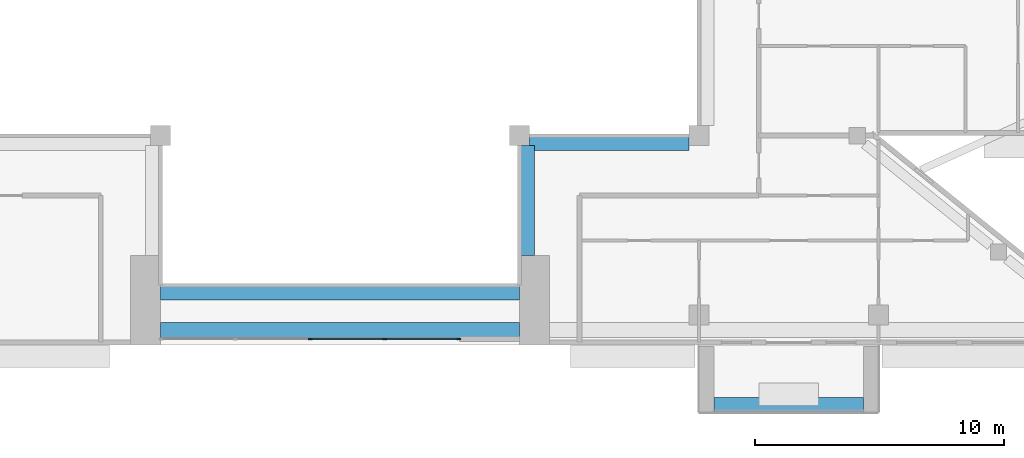
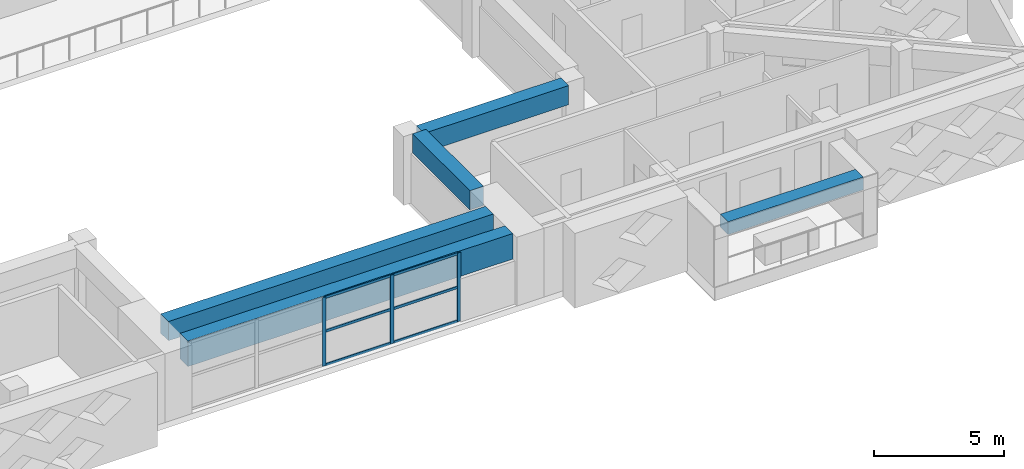
# One storey, part 4 of 19: 9 members, 5 beams, 1 element without a shape of its own.
"""IFC4 building model written with IfcOpenShell, lengths in metres."""

from ifc_helpers import new_model, si_unit, direction, frame, origin, origin_2d, place, context, subcontext, project, spatial, rectangle, extrude, source, transform, mapped, material, layer, layer_set, material_profile, profile_set, type_object, element, aggregate, save


model = new_model("IFC4")

# Units and contexts
model_context = context("Model", 3, precision=1e-05, world=origin(), true_north=direction((0.0, 1.0)))
body_context = subcontext(model_context, "Body", "Model", "MODEL_VIEW")
ifc_project = project(units=[si_unit("LENGTHUNIT", "METRE"), si_unit("AREAUNIT", "SQUARE_METRE"), si_unit("VOLUMEUNIT", "CUBIC_METRE"), si_unit("PLANEANGLEUNIT", "RADIAN"), si_unit("MASSUNIT", "GRAM", prefix="KILO")], contexts=[model_context])

# Site, building, storey
site_placement = place(None, origin())
site = spatial("IfcSite", under=ifc_project, at=site_placement, CompositionType="ELEMENT")
building_placement = place(site_placement, origin())
building = spatial("IfcBuilding", under=site, at=building_placement, Name="Saffron Iwan Residences", CompositionType="ELEMENT")
storey_placement = place(building_placement, frame((0.0, 0.0, 232.5)))
storey = spatial("IfcBuildingStorey", under=building, at=storey_placement, Name="L62", CompositionType="ELEMENT", Elevation=232.5)

# Beams
ifc_material_1 = material(Name="Concrete C40/50", Category="concrete")
ifc_material_profile_1 = material_profile(ifc_material_1, rectangle(XDim=0.60009765625, YDim=1.199951171875, at=origin_2d()), Name="RC 600x1200")
ifc_profile_set_1 = profile_set([ifc_material_profile_1], Name="Concrete C40/50")
beam_type_1 = type_object("IfcBeamType", Name="LINTEL BEAM RC 600x1200 C40/50 TOP 3220", PredefinedType="LINTEL", material=ifc_profile_set_1)
shared_shape_1 = source(origin(), body_context, "Body", "SweptSolid", [
    extrude(rectangle(XDim=0.60009765625, YDim=1.199951171875, at=origin_2d()), origin(), (0.0, 0.0, 1.0), 14.400146484375),
])
beam_1_placement = place(storey_placement, frame((57.60009765625, 40.199951171875, 2.6201171875), z_axis=(-1.0, 0.0, 0.0), x_axis=(0.0, -1.0, 0.0)))
element("IfcBeam", 1, at=beam_1_placement, inside=storey, type_object=beam_type_1, Name="Lintel beam over the iwan", PredefinedType="LINTEL", context=body_context, shape_type="MappedRepresentation", body=[
    mapped(shared_shape_1, transform((0.0, 0.0, 0.0))),
])
ifc_material_profile_2 = material_profile(ifc_material_1, rectangle(XDim=0.60009765625, YDim=0.89990234375, at=origin_2d()), Name="RC 600x900")
ifc_profile_set_2 = profile_set([ifc_material_profile_2], Name="Concrete C40/50")
beam_type_2 = type_object("IfcBeamType", Name="BEAM RC 600x900 C40/50 TOP 3220", PredefinedType="BEAM", material=ifc_profile_set_2)
shared_shape_2 = source(origin(), body_context, "Body", "SweptSolid", [
    extrude(rectangle(XDim=0.60009765625, YDim=0.89990234375, at=origin_2d()), origin(), (0.0, 0.0, 1.0), 14.400146484375),
])
beam_2_placement = place(storey_placement, frame((57.60009765625, 41.699951171875, 2.77001953125), z_axis=(-1.0, 0.0, 0.0), x_axis=(0.0, -1.0, 0.0)))
element("IfcBeam", 2, at=beam_2_placement, inside=storey, type_object=beam_type_2, Name="Atrium edge beam", PredefinedType="BEAM", context=body_context, shape_type="MappedRepresentation", body=[
    mapped(shared_shape_2, transform((0.0, 0.0, 0.0))),
])
shared_shape_3 = source(origin(), body_context, "Body", "SweptSolid", [
    extrude(rectangle(XDim=0.60009765625, YDim=0.89990234375, at=origin_2d()), origin(), (0.0, 0.0, 1.0), 4.400146484375),
])
beam_3_placement = place(storey_placement, frame((57.89990234375, 47.60009765625, 2.77001953125), z_axis=(0.0, -1.0, 0.0), x_axis=(1.0, 0.0, 0.0)))
element("IfcBeam", 3, at=beam_3_placement, inside=storey, type_object=beam_type_2, Name="Atrium edge beam", PredefinedType="BEAM", context=body_context, shape_type="MappedRepresentation", body=[
    mapped(shared_shape_3, transform((0.0, 0.0, 0.0))),
])
shared_shape_4 = source(origin(), body_context, "Body", "SweptSolid", [
    extrude(rectangle(XDim=0.60009765625, YDim=0.89990234375, at=origin_2d()), origin(), (0.0, 0.0, 1.0), 6.39990234375),
])
beam_4_placement = place(storey_placement, frame((64.39990234375, 47.699951171875, 2.77001953125), z_axis=(-1.0, 0.0, 0.0), x_axis=(0.0, -1.0, 0.0)))
element("IfcBeam", 4, at=beam_4_placement, inside=storey, type_object=beam_type_2, Name="Atrium edge beam", PredefinedType="BEAM", context=body_context, shape_type="MappedRepresentation", body=[
    mapped(shared_shape_4, transform((0.0, 0.0, 0.0))),
])

# Curtain wall, members
ifc_material_2 = material(Name="Clear glass, laminated double glazed", Category="glass")
ifc_layer = layer(ifc_material_2, 0.199951171875)
ifc_layer_set = layer_set([ifc_layer], Name="Clear glass, laminated double glazed")
curtain_wall_type = type_object("IfcCurtainWallType", Name="CW-B IWAN PORTAL", PredefinedType="NOTDEFINED", material=ifc_layer_set)
curtain_wall_placement = place(storey_placement, origin())
curtain_wall = element("IfcCurtainWall", 5, at=curtain_wall_placement, inside=storey, type_object=curtain_wall_type, Name="Iwan portal glazing L62.1", PredefinedType="NOTDEFINED")
ifc_material_3 = material(Name="Aluminium 6063-T6", Category="aluminium")
ifc_material_profile_3 = material_profile(ifc_material_3, rectangle(XDim=0.06005859375, YDim=0.1201171875, at=origin_2d()), Name="CW-B TRANSOM 60 x 120")
ifc_profile_set_3 = profile_set([ifc_material_profile_3], Name="Aluminium 6063-T6")
member_type_1 = type_object("IfcMemberType", Name="CW-B TRANSOM 60 x 120", PredefinedType="USERDEFINED", material=ifc_profile_set_3)
shared_shape_5 = source(origin(), body_context, "Body", "SweptSolid", [
    extrude(rectangle(XDim=0.06005859375, YDim=0.1201171875, at=origin_2d()), origin(), (0.0, 0.0, 1.0), 2.909912109375),
])
member_1_placement = place(storey_placement, frame((52.22998046875, 39.85009765625, 0.030029296875), z_axis=(1.0, 0.0, 0.0), x_axis=(0.0, 1.0, 0.0)))
member_1 = element("IfcMember", 6, at=member_1_placement, type_object=member_type_1, Name="CW-B transom 4.1", ObjectType="TRANSOM", PredefinedType="USERDEFINED", context=body_context, shape_type="MappedRepresentation", body=[
    mapped(shared_shape_5, transform((0.0, 0.0, 0.0))),
])
member_2_placement = place(storey_placement, frame((52.22998046875, 39.85009765625, 1.610107421875), z_axis=(1.0, 0.0, 0.0), x_axis=(0.0, 1.0, 0.0)))
member_2 = element("IfcMember", 7, at=member_2_placement, type_object=member_type_1, Name="CW-B transom 4.2", ObjectType="TRANSOM", PredefinedType="USERDEFINED", context=body_context, shape_type="MappedRepresentation", body=[
    mapped(shared_shape_5, transform((0.0, 0.0, 0.0))),
])
member_3_placement = place(storey_placement, frame((52.22998046875, 39.85009765625, 3.18994140625), z_axis=(1.0, 0.0, 0.0), x_axis=(0.0, 1.0, 0.0)))
member_3 = element("IfcMember", 8, at=member_3_placement, type_object=member_type_1, Name="CW-B transom 4.3", ObjectType="TRANSOM", PredefinedType="USERDEFINED", context=body_context, shape_type="MappedRepresentation", body=[
    mapped(shared_shape_5, transform((0.0, 0.0, 0.0))),
])
shared_shape_6 = source(origin(), body_context, "Body", "SweptSolid", [
    extrude(rectangle(XDim=0.06005859375, YDim=0.1201171875, at=origin_2d()), origin(), (0.0, 0.0, 1.0), 2.93994140625),
])
member_4_placement = place(storey_placement, frame((49.22998046875, 39.85009765625, 0.030029296875), z_axis=(1.0, 0.0, 0.0), x_axis=(0.0, 1.0, 0.0)))
member_4 = element("IfcMember", 9, at=member_4_placement, type_object=member_type_1, Name="CW-B transom 3.1", ObjectType="TRANSOM", PredefinedType="USERDEFINED", context=body_context, shape_type="MappedRepresentation", body=[
    mapped(shared_shape_6, transform((0.0, 0.0, 0.0))),
])
member_5_placement = place(storey_placement, frame((49.22998046875, 39.85009765625, 1.610107421875), z_axis=(1.0, 0.0, 0.0), x_axis=(0.0, 1.0, 0.0)))
member_5 = element("IfcMember", 10, at=member_5_placement, type_object=member_type_1, Name="CW-B transom 3.2", ObjectType="TRANSOM", PredefinedType="USERDEFINED", context=body_context, shape_type="MappedRepresentation", body=[
    mapped(shared_shape_6, transform((0.0, 0.0, 0.0))),
])
member_6_placement = place(storey_placement, frame((49.22998046875, 39.85009765625, 3.18994140625), z_axis=(1.0, 0.0, 0.0), x_axis=(0.0, 1.0, 0.0)))
member_6 = element("IfcMember", 11, at=member_6_placement, type_object=member_type_1, Name="CW-B transom 3.3", ObjectType="TRANSOM", PredefinedType="USERDEFINED", context=body_context, shape_type="MappedRepresentation", body=[
    mapped(shared_shape_6, transform((0.0, 0.0, 0.0))),
])

# Beam
ifc_material_4 = material(Name="Concrete C50/60 white painted", Category="concrete")
ifc_material_profile_4 = material_profile(ifc_material_4, rectangle(XDim=0.60009765625, YDim=0.60009765625, at=origin_2d()), Name="BALCONY FASCIA BEAM 600 x 600")
ifc_profile_set_4 = profile_set([ifc_material_profile_4], Name="Concrete C50/60 white painted")
beam_type_3 = type_object("IfcBeamType", Name="BALCONY FASCIA BEAM 600 x 600", PredefinedType="BEAM", material=ifc_profile_set_4)
shared_shape_7 = source(origin(), body_context, "Body", "SweptSolid", [
    extrude(rectangle(XDim=0.60009765625, YDim=0.60009765625, at=origin_2d()), origin(), (0.0, 0.0, 1.0), 6.0),
])
beam_5_placement = place(storey_placement, frame((65.39990234375, 37.199951171875, 2.550048828125), z_axis=(1.0, 0.0, 0.0), x_axis=(0.0, 1.0, 0.0)))
element("IfcBeam", 12, at=beam_5_placement, inside=storey, type_object=beam_type_3, Name="Balcony fascia beam L62 11-0", PredefinedType="BEAM", context=body_context, shape_type="MappedRepresentation", body=[
    mapped(shared_shape_7, transform((0.0, 0.0, 0.0))),
])

# Member
ifc_material_profile_5 = material_profile(ifc_material_3, rectangle(XDim=0.06005859375, YDim=0.159912109375, at=origin_2d()), Name="CW-B MULLION 60 x 160")
ifc_profile_set_5 = profile_set([ifc_material_profile_5], Name="Aluminium 6063-T6")
member_type_2 = type_object("IfcMemberType", Name="CW-B MULLION 60 x 160", PredefinedType="MULLION", material=ifc_profile_set_5)
shared_shape_8 = source(origin(), body_context, "Body", "SweptSolid", [
    extrude(rectangle(XDim=0.06005859375, YDim=0.159912109375, at=origin_2d()), origin(), (0.0, 0.0, 1.0), 3.219970703125),
])
member_7_placement = place(storey_placement, frame((49.199951171875, 39.85009765625, 0.0), z_axis=(0.0, 0.0, 1.0), x_axis=(0.0, 1.0, 0.0)))
member_7 = element("IfcMember", 13, at=member_7_placement, type_object=member_type_2, Name="CW-B mullion 3", PredefinedType="MULLION", context=body_context, shape_type="MappedRepresentation", body=[
    mapped(shared_shape_8, transform((0.0, 0.0, 0.0))),
])

member_8_placement = place(storey_placement, frame((52.199951171875, 39.85009765625, 0.0), z_axis=(0.0, 0.0, 1.0), x_axis=(0.0, 1.0, 0.0)))
member_8 = element("IfcMember", 14, at=member_8_placement, type_object=member_type_2, Name="CW-B mullion 4", PredefinedType="MULLION", context=body_context, shape_type="MappedRepresentation", body=[
    mapped(shared_shape_8, transform((0.0, 0.0, 0.0))),
])

member_9_placement = place(storey_placement, frame((55.169921875, 39.85009765625, 0.0), z_axis=(0.0, 0.0, 1.0), x_axis=(0.0, 1.0, 0.0)))
member_9 = element("IfcMember", 15, at=member_9_placement, type_object=member_type_2, Name="CW-B mullion 5", PredefinedType="MULLION", context=body_context, shape_type="MappedRepresentation", body=[
    mapped(shared_shape_8, transform((0.0, 0.0, 0.0))),
])

aggregate(curtain_wall, [member_7, member_8, member_9, member_4, member_5, member_6, member_1, member_2, member_3])

save(model, "model.ifc")
